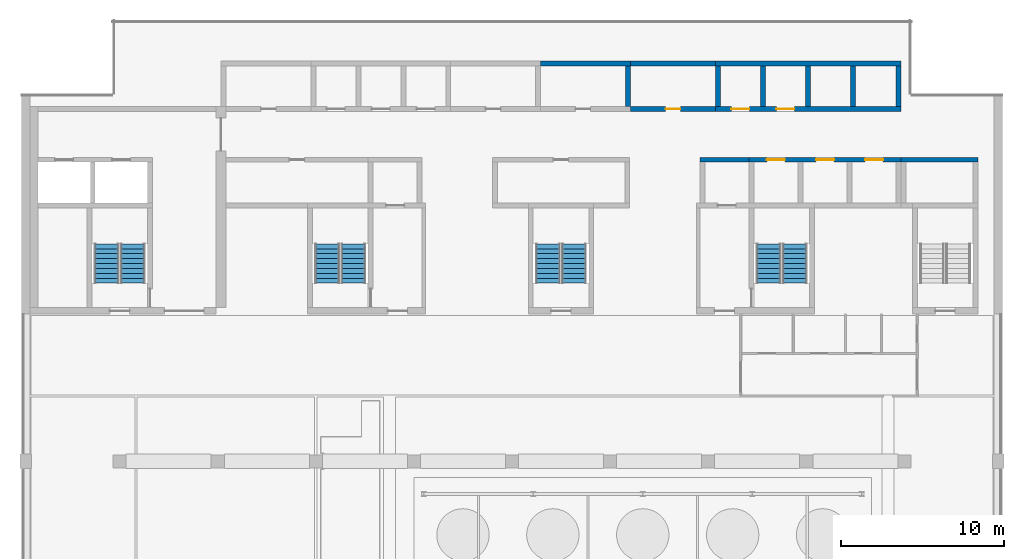
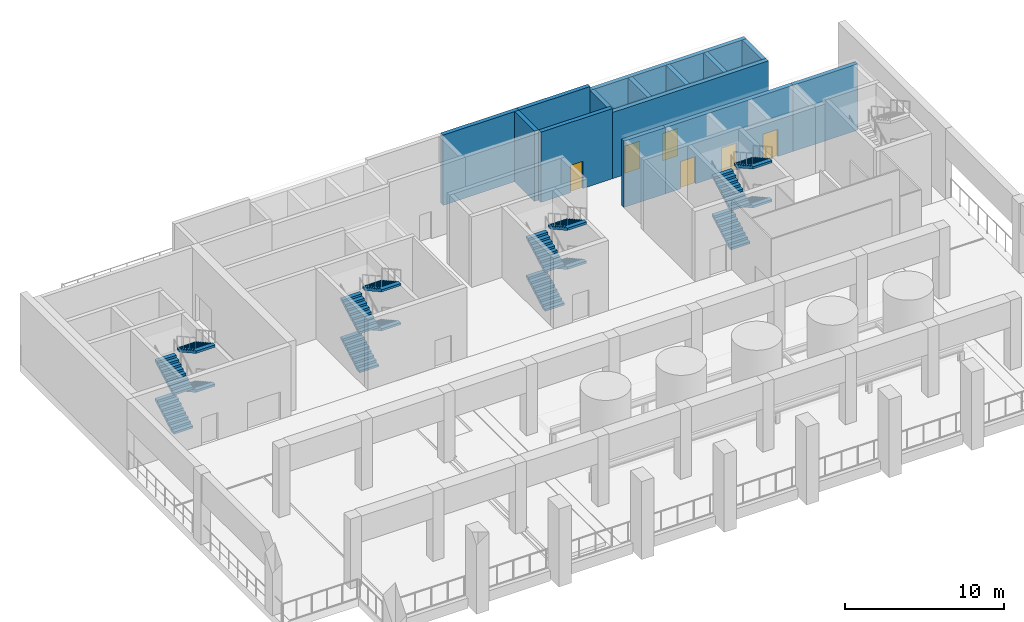
# One storey, part 6 of 11: 16 stair flights, 14 walls, 6 doors, 6 openings, 4 elements without a shape of their own.
"""IFC4 building model written with IfcOpenShell, lengths in metres."""

from ifc_helpers import new_model, si_unit, direction, frame, frame_2d, origin, place, context, subcontext, project, spatial, polyline, rectangle, outline, extrude, material, layer, layer_set, type_object, element, fill, aggregate, save


model = new_model("IFC4")

# Units and contexts
model_context = context("Model", 3, precision=1e-05, world=origin(), true_north=direction((0.0, 1.0)))
body_context = subcontext(model_context, "Body", "Model", "MODEL_VIEW")
ifc_project = project(units=[si_unit("LENGTHUNIT", "METRE"), si_unit("AREAUNIT", "SQUARE_METRE"), si_unit("VOLUMEUNIT", "CUBIC_METRE"), si_unit("PLANEANGLEUNIT", "RADIAN"), si_unit("MASSUNIT", "GRAM", prefix="KILO")], contexts=[model_context])

# Site, building, storey
site_placement = place(None, origin())
site = spatial("IfcSite", under=ifc_project, at=site_placement, CompositionType="ELEMENT")
building_placement = place(site_placement, origin())
building = spatial("IfcBuilding", under=site, at=building_placement, Name="Calvaro Tower", CompositionType="ELEMENT")
storey_placement = place(building_placement, frame((0.0, 0.0, 265.949951171875)))
storey = spatial("IfcBuildingStorey", under=building, at=storey_placement, Name="L67", CompositionType="ELEMENT", Elevation=265.949951171875)

# Wall, opening, door
ifc_material_1 = material(Name="Blockwork partition", Category="masonry")
ifc_layer_1 = layer(ifc_material_1, 0.300048828125)
ifc_layer_set_1 = layer_set([ifc_layer_1], Name="Blockwork partition")
wall_type_1 = type_object("IfcWallType", Name="Core partition 300 EI 60", PredefinedType="PARTITIONING", material=ifc_layer_set_1)
wall_1_placement = place(storey_placement, frame((43.25, 40.550048828125, 0.0), z_axis=(0.0, 0.0, 1.0), x_axis=(1.0, 0.0, 0.0)))
wall_1 = element("IfcWall", 1, at=wall_1_placement, inside=storey, type_object=wall_type_1, Name="Core partition", PredefinedType="PARTITIONING", context=body_context, shape_type="SweptSolid", body=[
    extrude(rectangle(XDim=5.199951171875, YDim=0.300048828125, at=frame_2d((2.60009765625, 0.0))), origin(), (0.0, 0.0, 1.0), 5.400146484375),
])
opening_1_placement = place(wall_1_placement, frame((2.14990234375, 0.0, 0.0)))
opening_1 = element("IfcOpeningElement", 2, at=opening_1_placement, cuts=wall_1, Name="Opening RD9C", PredefinedType="OPENING", context=body_context, shape_type="SweptSolid", body=[
    extrude(rectangle(XDim=0.89990234375, YDim=2.10009765625, at=frame_2d((0.449951171875, 1.050048828125))), frame((0.0, 0.159912109375, 0.0), z_axis=(0.0, -1.0, 0.0), x_axis=(1.0, 0.0, 0.0)), (0.0, 0.0, 1.0), 0.320068359375),
])
ifc_material_2 = material(Name="Steel door set", Category="steel")
door_type_1 = type_object("IfcDoorType", Name="Room door 900 FD30", OperationType="SINGLE_SWING_LEFT", PredefinedType="DOOR", material=ifc_material_2)
door_1_placement = place(opening_1_placement, origin())
door_1 = element("IfcDoor", 3, at=door_1_placement, inside=storey, type_object=door_type_1, Name="Room door", OperationType="SINGLE_SWING_LEFT", OverallHeight=2.10009765625, OverallWidth=0.89990234375, PredefinedType="DOOR", context=body_context, shape_type="SweptSolid", body=[
    extrude(rectangle(XDim=0.89990234375, YDim=2.10009765625, at=frame_2d((0.449951171875, 1.050048828125))), frame((0.0, 0.02490234375, 0.0), z_axis=(0.0, -1.0, 0.0), x_axis=(1.0, 0.0, 0.0)), (0.0, 0.0, 1.0), 0.050048828125),
])
fill(opening_1, door_1)

# Walls
wall_2_placement = place(storey_placement, frame((43.25, 43.35009765625, 0.0), z_axis=(0.0, 0.0, 1.0), x_axis=(1.0, 0.0, 0.0)))
element("IfcWall", 4, at=wall_2_placement, inside=storey, type_object=wall_type_1, Name="Core partition", PredefinedType="PARTITIONING", context=body_context, shape_type="SweptSolid", body=[
    extrude(rectangle(XDim=5.199951171875, YDim=0.300048828125, at=frame_2d((2.60009765625, 0.0))), origin(), (0.0, 0.0, 1.0), 5.400146484375),
])
ifc_material_3 = material(Name="Blockwork partition", Category="masonry")
ifc_layer_2 = layer(ifc_material_3, 0.300048828125)
ifc_layer_set_2 = layer_set([ifc_layer_2], Name="Blockwork partition")
wall_type_2 = type_object("IfcWallType", Name="Core partition 300 REI 120", PredefinedType="PARTITIONING", material=ifc_layer_set_2)
wall_3_placement = place(storey_placement, frame((37.75, 43.35009765625, 0.0), z_axis=(0.0, 0.0, 1.0), x_axis=(1.0, 0.0, 0.0)))
element("IfcWall", 5, at=wall_3_placement, inside=storey, type_object=wall_type_2, Name="Core partition", PredefinedType="PARTITIONING", context=body_context, shape_type="SweptSolid", body=[
    extrude(rectangle(XDim=5.5, YDim=0.300048828125, at=frame_2d((2.75, 0.0))), origin(), (0.0, 0.0, 1.0), 5.400146484375),
])
wall_4_placement = place(storey_placement, frame((43.10009765625, 40.699951171875, 0.0), z_axis=(0.0, 0.0, 1.0), x_axis=(0.0, 1.0, 0.0)))
element("IfcWall", 6, at=wall_4_placement, inside=storey, type_object=wall_type_2, Name="Core partition", PredefinedType="PARTITIONING", context=body_context, shape_type="SweptSolid", body=[
    extrude(rectangle(XDim=2.5, YDim=0.300048828125, at=frame_2d((1.25, 0.0))), origin(), (0.0, 0.0, 1.0), 5.400146484375),
])

# Wall, openings, doors
ifc_material_4 = material(Name="Concrete C40/50", Category="concrete")
ifc_layer_3 = layer(ifc_material_4, 0.300048828125)
ifc_layer_set_3 = layer_set([ifc_layer_3], Name="Concrete C40/50")
wall_type_3 = type_object("IfcWallType", Name="Core wall C40/50 300", PredefinedType="SHEAR", material=ifc_layer_set_3)
wall_5_placement = place(storey_placement, frame((50.5, 37.449951171875, 0.0), z_axis=(0.0, 0.0, 1.0), x_axis=(1.0, 0.0, 0.0)))
wall_5 = element("IfcWall", 7, at=wall_5_placement, inside=storey, type_object=wall_type_3, Name="Core wall, lift shaft", PredefinedType="SHEAR", context=body_context, shape_type="SweptSolid", body=[
    extrude(rectangle(XDim=9.300048828125, YDim=0.300048828125, at=frame_2d((4.64990234375, 0.0))), origin(), (0.0, 0.0, 1.0), 5.10009765625),
])
opening_2_placement = place(wall_5_placement, frame((1.10009765625, 0.0, 0.0)))
opening_2 = element("IfcOpeningElement", 8, at=opening_2_placement, cuts=wall_5, Name="Opening HR1", PredefinedType="OPENING", context=body_context, shape_type="SweptSolid", body=[
    extrude(rectangle(XDim=1.10009765625, YDim=2.10009765625, at=frame_2d((0.550048828125, 1.050048828125))), frame((0.0, 0.159912109375, 0.0), z_axis=(0.0, -1.0, 0.0), x_axis=(1.0, 0.0, 0.0)), (0.0, 0.0, 1.0), 0.320068359375),
])
opening_3_placement = place(wall_5_placement, frame((4.10009765625, 0.0, 0.0)))
opening_3 = element("IfcOpeningElement", 9, at=opening_3_placement, cuts=wall_5, Name="Opening HR2", PredefinedType="OPENING", context=body_context, shape_type="SweptSolid", body=[
    extrude(rectangle(XDim=1.10009765625, YDim=2.10009765625, at=frame_2d((0.550048828125, 1.050048828125))), frame((0.0, 0.159912109375, 0.0), z_axis=(0.0, -1.0, 0.0), x_axis=(1.0, 0.0, 0.0)), (0.0, 0.0, 1.0), 0.320068359375),
])
opening_4_placement = place(wall_5_placement, frame((7.10009765625, 0.0, 0.0)))
opening_4 = element("IfcOpeningElement", 10, at=opening_4_placement, cuts=wall_5, Name="Opening HR3", PredefinedType="OPENING", context=body_context, shape_type="SweptSolid", body=[
    extrude(rectangle(XDim=1.10009765625, YDim=2.10009765625, at=frame_2d((0.550048828125, 1.050048828125))), frame((0.0, 0.159912109375, 0.0), z_axis=(0.0, -1.0, 0.0), x_axis=(1.0, 0.0, 0.0)), (0.0, 0.0, 1.0), 0.320068359375),
])
ifc_material_5 = material(Name="Stainless steel", Category="steel")
door_type_2 = type_object("IfcDoorType", Name="Landing door 1100 E 60", OperationType="SLIDING_TO_LEFT", PredefinedType="DOOR", material=ifc_material_5)
door_2_placement = place(opening_2_placement, origin())
door_2 = element("IfcDoor", 11, at=door_2_placement, inside=storey, type_object=door_type_2, Name="Landing door HR1", OperationType="SLIDING_TO_LEFT", OverallHeight=2.10009765625, OverallWidth=1.10009765625, PredefinedType="DOOR", context=body_context, shape_type="SweptSolid", body=[
    extrude(rectangle(XDim=1.10009765625, YDim=2.10009765625, at=frame_2d((0.550048828125, 1.050048828125))), frame((0.0, 0.02490234375, 0.0), z_axis=(0.0, -1.0, 0.0), x_axis=(1.0, 0.0, 0.0)), (0.0, 0.0, 1.0), 0.050048828125),
])
fill(opening_2, door_2)
door_3_placement = place(opening_3_placement, origin())
door_3 = element("IfcDoor", 12, at=door_3_placement, inside=storey, type_object=door_type_2, Name="Landing door HR2", OperationType="SLIDING_TO_LEFT", OverallHeight=2.10009765625, OverallWidth=1.10009765625, PredefinedType="DOOR", context=body_context, shape_type="SweptSolid", body=[
    extrude(rectangle(XDim=1.10009765625, YDim=2.10009765625, at=frame_2d((0.550048828125, 1.050048828125))), frame((0.0, 0.02490234375, 0.0), z_axis=(0.0, -1.0, 0.0), x_axis=(1.0, 0.0, 0.0)), (0.0, 0.0, 1.0), 0.050048828125),
])
fill(opening_3, door_3)
door_4_placement = place(opening_4_placement, origin())
door_4 = element("IfcDoor", 13, at=door_4_placement, inside=storey, type_object=door_type_2, Name="Landing door HR3", OperationType="SLIDING_TO_LEFT", OverallHeight=2.10009765625, OverallWidth=1.10009765625, PredefinedType="DOOR", context=body_context, shape_type="SweptSolid", body=[
    extrude(rectangle(XDim=1.10009765625, YDim=2.10009765625, at=frame_2d((0.550048828125, 1.050048828125))), frame((0.0, 0.02490234375, 0.0), z_axis=(0.0, -1.0, 0.0), x_axis=(1.0, 0.0, 0.0)), (0.0, 0.0, 1.0), 0.050048828125),
])
fill(opening_4, door_4)

wall_6_placement = place(storey_placement, frame((48.449951171875, 40.550048828125, 0.0), z_axis=(0.0, 0.0, 1.0), x_axis=(1.0, 0.0, 0.0)))
wall_6 = element("IfcWall", 14, at=wall_6_placement, inside=storey, type_object=wall_type_3, Name="Core wall, lift shaft", PredefinedType="SHEAR", context=body_context, shape_type="SweptSolid", body=[
    extrude(rectangle(XDim=11.35009765625, YDim=0.300048828125, at=frame_2d((5.675048828125, 0.0))), origin(), (0.0, 0.0, 1.0), 5.10009765625),
])
opening_5_placement = place(wall_6_placement, frame((0.97509765625, 0.0, 0.0)))
opening_5 = element("IfcOpeningElement", 15, at=opening_5_placement, cuts=wall_6, Name="Opening HR7", PredefinedType="OPENING", context=body_context, shape_type="SweptSolid", body=[
    extrude(rectangle(XDim=1.10009765625, YDim=2.10009765625, at=frame_2d((0.550048828125, 1.050048828125))), frame((0.0, 0.159912109375, 0.0), z_axis=(0.0, -1.0, 0.0), x_axis=(1.0, 0.0, 0.0)), (0.0, 0.0, 1.0), 0.320068359375),
])
opening_6_placement = place(wall_6_placement, frame((3.72509765625, 0.0, 0.0)))
opening_6 = element("IfcOpeningElement", 16, at=opening_6_placement, cuts=wall_6, Name="Opening HR8", PredefinedType="OPENING", context=body_context, shape_type="SweptSolid", body=[
    extrude(rectangle(XDim=1.10009765625, YDim=2.10009765625, at=frame_2d((0.550048828125, 1.050048828125))), frame((0.0, 0.159912109375, 0.0), z_axis=(0.0, -1.0, 0.0), x_axis=(1.0, 0.0, 0.0)), (0.0, 0.0, 1.0), 0.320068359375),
])
door_5_placement = place(opening_5_placement, origin())
door_5 = element("IfcDoor", 17, at=door_5_placement, inside=storey, type_object=door_type_2, Name="Landing door HR7", OperationType="SLIDING_TO_LEFT", OverallHeight=2.10009765625, OverallWidth=1.10009765625, PredefinedType="DOOR", context=body_context, shape_type="SweptSolid", body=[
    extrude(rectangle(XDim=1.10009765625, YDim=2.10009765625, at=frame_2d((0.550048828125, 1.050048828125))), frame((0.0, 0.02490234375, 0.0), z_axis=(0.0, -1.0, 0.0), x_axis=(1.0, 0.0, 0.0)), (0.0, 0.0, 1.0), 0.050048828125),
])
fill(opening_5, door_5)
door_6_placement = place(opening_6_placement, origin())
door_6 = element("IfcDoor", 18, at=door_6_placement, inside=storey, type_object=door_type_2, Name="Landing door HR8", OperationType="SLIDING_TO_LEFT", OverallHeight=2.10009765625, OverallWidth=1.10009765625, PredefinedType="DOOR", context=body_context, shape_type="SweptSolid", body=[
    extrude(rectangle(XDim=1.10009765625, YDim=2.10009765625, at=frame_2d((0.550048828125, 1.050048828125))), frame((0.0, 0.02490234375, 0.0), z_axis=(0.0, -1.0, 0.0), x_axis=(1.0, 0.0, 0.0)), (0.0, 0.0, 1.0), 0.050048828125),
])
fill(opening_6, door_6)

# Walls
wall_7_placement = place(storey_placement, frame((48.449951171875, 43.35009765625, 0.0), z_axis=(0.0, 0.0, 1.0), x_axis=(1.0, 0.0, 0.0)))
element("IfcWall", 19, at=wall_7_placement, inside=storey, type_object=wall_type_3, Name="Core wall, lift shaft", PredefinedType="SHEAR", context=body_context, shape_type="SweptSolid", body=[
    extrude(rectangle(XDim=11.35009765625, YDim=0.300048828125, at=frame_2d((5.675048828125, 0.0))), origin(), (0.0, 0.0, 1.0), 5.10009765625),
])
for number, where, z_axis, x_axis, name in (
    (20, (48.60009765625, 40.699951171875, 0.0), (0.0, 0.0, 1.0), (0.0, 1.0, 0.0), "Core wall, lift shaft"),
    (21, (59.64990234375, 40.699951171875, 0.0), (0.0, 0.0, 1.0), (0.0, 1.0, 0.0), "Core wall, lift shaft"),
    (22, (51.35009765625, 40.699951171875, 0.0), (0.0, 0.0, 1.0), (0.0, 1.0, 0.0), "Core wall, lift shaft"),
    (23, (54.10009765625, 40.699951171875, 0.0), (0.0, 0.0, 1.0), (0.0, 1.0, 0.0), "Core wall, lift shaft"),
    (24, (56.85009765625, 40.699951171875, 0.0), (0.0, 0.0, 1.0), (0.0, 1.0, 0.0), "Core wall, lift shaft"),
):
    element("IfcWall", number, at=place(storey_placement, frame(where, z_axis=z_axis, x_axis=x_axis)), inside=storey, type_object=wall_type_3, Name=name, PredefinedType="SHEAR", context=body_context, shape_type="SweptSolid", body=[
        extrude(rectangle(XDim=2.5, YDim=0.300048828125, at=frame_2d((1.25, 0.0))), origin(), (0.0, 0.0, 1.0), 5.10009765625),
    ])
wall_8_placement = place(storey_placement, frame((47.5, 37.449951171875, 0.0), z_axis=(0.0, 0.0, 1.0), x_axis=(1.0, 0.0, 0.0)))
element("IfcWall", 25, at=wall_8_placement, inside=storey, type_object=wall_type_3, Name="Core wall, lift shaft", PredefinedType="SHEAR", context=body_context, shape_type="SweptSolid", body=[
    extrude(rectangle(XDim=3.0, YDim=0.300048828125, at=frame_2d((1.5, 0.0))), origin(), (0.0, 0.0, 1.0), 5.10009765625),
])
wall_9_placement = place(storey_placement, frame((59.800048828125, 37.449951171875, 0.0), z_axis=(0.0, 0.0, 1.0), x_axis=(1.0, 0.0, 0.0)))
element("IfcWall", 26, at=wall_9_placement, inside=storey, type_object=wall_type_3, Name="Core wall, lift shaft", PredefinedType="SHEAR", context=body_context, shape_type="SweptSolid", body=[
    extrude(rectangle(XDim=4.699951171875, YDim=0.300048828125, at=frame_2d((2.35009765625, 0.0))), origin(), (0.0, 0.0, 1.0), 5.10009765625),
])

# Stair, stair flights
ifc_material_6 = material(Name="Concrete C40/50", Category="concrete")
stair_type = type_object("IfcStairType", Name="Exit stair 1400 4 flights", PredefinedType="DOUBLE_RETURN_STAIR", material=ifc_material_6)
stair_1_placement = place(storey_placement, origin())
stair_1 = element("IfcStair", 27, at=stair_1_placement, inside=storey, type_object=stair_type, Name="Exit stair S1", PredefinedType="DOUBLE_RETURN_STAIR")
ifc_material_7 = material(Name="Concrete C40/50", Category="concrete")
stair_flight_type = type_object("IfcStairFlightType", Name="Stair flight", PredefinedType="STRAIGHT", material=ifc_material_7)
stair_flight_1_placement = place(storey_placement, frame((11.199951171875, 29.89990234375, 0.0), z_axis=(0.0, 0.0, 1.0), x_axis=(0.0, 1.0, 0.0)))
stair_flight_1 = element("IfcStairFlight", 28, at=stair_flight_1_placement, type_object=stair_flight_type, Name="Exit stair 1, flight 1", NumberOfRisers=9, NumberOfTreads=8, PredefinedType="STRAIGHT", RiserHeight=0.166666667, TreadLength=0.3, context=body_context, shape_type="SweptSolid", body=[
    extrude(outline(polyline([(0.0, 0.0), (0.0, 0.166748046875), (0.300048828125, 0.166748046875), (0.300048828125, 0.333251953125), (0.60009765625, 0.333251953125), (0.60009765625, 0.5), (0.89990234375, 0.5), (0.89990234375, 0.666748046875), (1.199951171875, 0.666748046875), (1.199951171875, 0.833251953125), (1.5, 0.833251953125), (1.5, 1.0), (1.800048828125, 1.0), (1.800048828125, 1.166748046875), (2.10009765625, 1.166748046875), (2.10009765625, 1.333251953125), (2.39990234375, 1.333251953125), (2.39990234375, 1.5), (2.39990234375, 1.161865234375), (0.30859375, 0.0), (0.0, 0.0)])), frame((0.0, 0.699951171875, 0.0), z_axis=(0.0, -1.0, 0.0), x_axis=(1.0, 0.0, 0.0)), (0.0, 0.0, 1.0), 1.39990234375),
])
stair_flight_2_placement = place(storey_placement, frame((12.800048828125, 32.300048828125, 1.5), z_axis=(0.0, 0.0, 1.0), x_axis=(0.0, -1.0, 0.0)))
stair_flight_2 = element("IfcStairFlight", 29, at=stair_flight_2_placement, type_object=stair_flight_type, Name="Exit stair 1, flight 2", NumberOfRisers=9, NumberOfTreads=8, PredefinedType="STRAIGHT", RiserHeight=0.166666667, TreadLength=0.3, context=body_context, shape_type="SweptSolid", body=[
    extrude(outline(polyline([(0.0, 0.0), (0.0, 0.166748046875), (0.300048828125, 0.166748046875), (0.300048828125, 0.333251953125), (0.60009765625, 0.333251953125), (0.60009765625, 0.5), (0.89990234375, 0.5), (0.89990234375, 0.666748046875), (1.199951171875, 0.666748046875), (1.199951171875, 0.833251953125), (1.5, 0.833251953125), (1.5, 1.0), (1.800048828125, 1.0), (1.800048828125, 1.166748046875), (2.10009765625, 1.166748046875), (2.10009765625, 1.333251953125), (2.39990234375, 1.333251953125), (2.39990234375, 1.5), (2.39990234375, 1.161865234375), (0.30859375, 0.0), (0.0, 0.0)])), frame((0.0, 0.699951171875, 0.0), z_axis=(0.0, -1.0, 0.0), x_axis=(1.0, 0.0, 0.0)), (0.0, 0.0, 1.0), 1.39990234375),
])
stair_flight_3_placement = place(storey_placement, frame((11.199951171875, 29.89990234375, 3.0), z_axis=(0.0, 0.0, 1.0), x_axis=(0.0, 1.0, 0.0)))
stair_flight_3 = element("IfcStairFlight", 30, at=stair_flight_3_placement, type_object=stair_flight_type, Name="Exit stair 1, flight 3", NumberOfRisers=9, NumberOfTreads=8, PredefinedType="STRAIGHT", RiserHeight=0.166666667, TreadLength=0.3, context=body_context, shape_type="SweptSolid", body=[
    extrude(outline(polyline([(0.0, 0.0), (0.0, 0.166748046875), (0.300048828125, 0.166748046875), (0.300048828125, 0.333251953125), (0.60009765625, 0.333251953125), (0.60009765625, 0.5), (0.89990234375, 0.5), (0.89990234375, 0.666748046875), (1.199951171875, 0.666748046875), (1.199951171875, 0.833251953125), (1.5, 0.833251953125), (1.5, 1.0), (1.800048828125, 1.0), (1.800048828125, 1.166748046875), (2.10009765625, 1.166748046875), (2.10009765625, 1.333251953125), (2.39990234375, 1.333251953125), (2.39990234375, 1.5), (2.39990234375, 1.161865234375), (0.30859375, 0.0), (0.0, 0.0)])), frame((0.0, 0.699951171875, 0.0), z_axis=(0.0, -1.0, 0.0), x_axis=(1.0, 0.0, 0.0)), (0.0, 0.0, 1.0), 1.39990234375),
])
stair_flight_4_placement = place(storey_placement, frame((12.800048828125, 32.300048828125, 4.5), z_axis=(0.0, 0.0, 1.0), x_axis=(0.0, -1.0, 0.0)))
stair_flight_4 = element("IfcStairFlight", 31, at=stair_flight_4_placement, type_object=stair_flight_type, Name="Exit stair 1, flight 4", NumberOfRisers=9, NumberOfTreads=8, PredefinedType="STRAIGHT", RiserHeight=0.166666667, TreadLength=0.3, context=body_context, shape_type="SweptSolid", body=[
    extrude(outline(polyline([(0.0, 0.0), (0.0, 0.166748046875), (0.300048828125, 0.166748046875), (0.300048828125, 0.333251953125), (0.60009765625, 0.333251953125), (0.60009765625, 0.5), (0.89990234375, 0.5), (0.89990234375, 0.666748046875), (1.199951171875, 0.666748046875), (1.199951171875, 0.833251953125), (1.5, 0.833251953125), (1.5, 1.0), (1.800048828125, 1.0), (1.800048828125, 1.166748046875), (2.10009765625, 1.166748046875), (2.10009765625, 1.333251953125), (2.39990234375, 1.333251953125), (2.39990234375, 1.5), (2.39990234375, 1.161865234375), (0.30859375, 0.0), (0.0, 0.0)])), frame((0.0, 0.699951171875, 0.0), z_axis=(0.0, -1.0, 0.0), x_axis=(1.0, 0.0, 0.0)), (0.0, 0.0, 1.0), 1.39990234375),
])
aggregate(stair_1, [stair_flight_1, stair_flight_2, stair_flight_3, stair_flight_4])

stair_2_placement = place(storey_placement, origin())
stair_2 = element("IfcStair", 32, at=stair_2_placement, inside=storey, type_object=stair_type, Name="Exit stair S2", PredefinedType="DOUBLE_RETURN_STAIR")
stair_flight_5_placement = place(storey_placement, frame((24.699951171875, 29.89990234375, 0.0), z_axis=(0.0, 0.0, 1.0), x_axis=(0.0, 1.0, 0.0)))
stair_flight_5 = element("IfcStairFlight", 33, at=stair_flight_5_placement, type_object=stair_flight_type, Name="Exit stair 2, flight 1", NumberOfRisers=9, NumberOfTreads=8, PredefinedType="STRAIGHT", RiserHeight=0.166666667, TreadLength=0.3, context=body_context, shape_type="SweptSolid", body=[
    extrude(outline(polyline([(0.0, 0.0), (0.0, 0.166748046875), (0.300048828125, 0.166748046875), (0.300048828125, 0.333251953125), (0.60009765625, 0.333251953125), (0.60009765625, 0.5), (0.89990234375, 0.5), (0.89990234375, 0.666748046875), (1.199951171875, 0.666748046875), (1.199951171875, 0.833251953125), (1.5, 0.833251953125), (1.5, 1.0), (1.800048828125, 1.0), (1.800048828125, 1.166748046875), (2.10009765625, 1.166748046875), (2.10009765625, 1.333251953125), (2.39990234375, 1.333251953125), (2.39990234375, 1.5), (2.39990234375, 1.161865234375), (0.30859375, 0.0), (0.0, 0.0)])), frame((0.0, 0.699951171875, 0.0), z_axis=(0.0, -1.0, 0.0), x_axis=(1.0, 0.0, 0.0)), (0.0, 0.0, 1.0), 1.39990234375),
])
stair_flight_6_placement = place(storey_placement, frame((26.300048828125, 32.300048828125, 1.5), z_axis=(0.0, 0.0, 1.0), x_axis=(0.0, -1.0, 0.0)))
stair_flight_6 = element("IfcStairFlight", 34, at=stair_flight_6_placement, type_object=stair_flight_type, Name="Exit stair 2, flight 2", NumberOfRisers=9, NumberOfTreads=8, PredefinedType="STRAIGHT", RiserHeight=0.166666667, TreadLength=0.3, context=body_context, shape_type="SweptSolid", body=[
    extrude(outline(polyline([(0.0, 0.0), (0.0, 0.166748046875), (0.300048828125, 0.166748046875), (0.300048828125, 0.333251953125), (0.60009765625, 0.333251953125), (0.60009765625, 0.5), (0.89990234375, 0.5), (0.89990234375, 0.666748046875), (1.199951171875, 0.666748046875), (1.199951171875, 0.833251953125), (1.5, 0.833251953125), (1.5, 1.0), (1.800048828125, 1.0), (1.800048828125, 1.166748046875), (2.10009765625, 1.166748046875), (2.10009765625, 1.333251953125), (2.39990234375, 1.333251953125), (2.39990234375, 1.5), (2.39990234375, 1.161865234375), (0.30859375, 0.0), (0.0, 0.0)])), frame((0.0, 0.699951171875, 0.0), z_axis=(0.0, -1.0, 0.0), x_axis=(1.0, 0.0, 0.0)), (0.0, 0.0, 1.0), 1.39990234375),
])
stair_flight_7_placement = place(storey_placement, frame((24.699951171875, 29.89990234375, 3.0), z_axis=(0.0, 0.0, 1.0), x_axis=(0.0, 1.0, 0.0)))
stair_flight_7 = element("IfcStairFlight", 35, at=stair_flight_7_placement, type_object=stair_flight_type, Name="Exit stair 2, flight 3", NumberOfRisers=9, NumberOfTreads=8, PredefinedType="STRAIGHT", RiserHeight=0.166666667, TreadLength=0.3, context=body_context, shape_type="SweptSolid", body=[
    extrude(outline(polyline([(0.0, 0.0), (0.0, 0.166748046875), (0.300048828125, 0.166748046875), (0.300048828125, 0.333251953125), (0.60009765625, 0.333251953125), (0.60009765625, 0.5), (0.89990234375, 0.5), (0.89990234375, 0.666748046875), (1.199951171875, 0.666748046875), (1.199951171875, 0.833251953125), (1.5, 0.833251953125), (1.5, 1.0), (1.800048828125, 1.0), (1.800048828125, 1.166748046875), (2.10009765625, 1.166748046875), (2.10009765625, 1.333251953125), (2.39990234375, 1.333251953125), (2.39990234375, 1.5), (2.39990234375, 1.161865234375), (0.30859375, 0.0), (0.0, 0.0)])), frame((0.0, 0.699951171875, 0.0), z_axis=(0.0, -1.0, 0.0), x_axis=(1.0, 0.0, 0.0)), (0.0, 0.0, 1.0), 1.39990234375),
])
stair_flight_8_placement = place(storey_placement, frame((26.300048828125, 32.300048828125, 4.5), z_axis=(0.0, 0.0, 1.0), x_axis=(0.0, -1.0, 0.0)))
stair_flight_8 = element("IfcStairFlight", 36, at=stair_flight_8_placement, type_object=stair_flight_type, Name="Exit stair 2, flight 4", NumberOfRisers=9, NumberOfTreads=8, PredefinedType="STRAIGHT", RiserHeight=0.166666667, TreadLength=0.3, context=body_context, shape_type="SweptSolid", body=[
    extrude(outline(polyline([(0.0, 0.0), (0.0, 0.166748046875), (0.300048828125, 0.166748046875), (0.300048828125, 0.333251953125), (0.60009765625, 0.333251953125), (0.60009765625, 0.5), (0.89990234375, 0.5), (0.89990234375, 0.666748046875), (1.199951171875, 0.666748046875), (1.199951171875, 0.833251953125), (1.5, 0.833251953125), (1.5, 1.0), (1.800048828125, 1.0), (1.800048828125, 1.166748046875), (2.10009765625, 1.166748046875), (2.10009765625, 1.333251953125), (2.39990234375, 1.333251953125), (2.39990234375, 1.5), (2.39990234375, 1.161865234375), (0.30859375, 0.0), (0.0, 0.0)])), frame((0.0, 0.699951171875, 0.0), z_axis=(0.0, -1.0, 0.0), x_axis=(1.0, 0.0, 0.0)), (0.0, 0.0, 1.0), 1.39990234375),
])
aggregate(stair_2, [stair_flight_5, stair_flight_6, stair_flight_7, stair_flight_8])

stair_3_placement = place(storey_placement, origin())
stair_3 = element("IfcStair", 37, at=stair_3_placement, inside=storey, type_object=stair_type, Name="Exit stair S3", PredefinedType="DOUBLE_RETURN_STAIR")
stair_flight_9_placement = place(storey_placement, frame((38.199951171875, 29.89990234375, 0.0), z_axis=(0.0, 0.0, 1.0), x_axis=(0.0, 1.0, 0.0)))
stair_flight_9 = element("IfcStairFlight", 38, at=stair_flight_9_placement, type_object=stair_flight_type, Name="Exit stair 3, flight 1", NumberOfRisers=9, NumberOfTreads=8, PredefinedType="STRAIGHT", RiserHeight=0.166666667, TreadLength=0.3, context=body_context, shape_type="SweptSolid", body=[
    extrude(outline(polyline([(0.0, 0.0), (0.0, 0.166748046875), (0.300048828125, 0.166748046875), (0.300048828125, 0.333251953125), (0.60009765625, 0.333251953125), (0.60009765625, 0.5), (0.89990234375, 0.5), (0.89990234375, 0.666748046875), (1.199951171875, 0.666748046875), (1.199951171875, 0.833251953125), (1.5, 0.833251953125), (1.5, 1.0), (1.800048828125, 1.0), (1.800048828125, 1.166748046875), (2.10009765625, 1.166748046875), (2.10009765625, 1.333251953125), (2.39990234375, 1.333251953125), (2.39990234375, 1.5), (2.39990234375, 1.161865234375), (0.30859375, 0.0), (0.0, 0.0)])), frame((0.0, 0.699951171875, 0.0), z_axis=(0.0, -1.0, 0.0), x_axis=(1.0, 0.0, 0.0)), (0.0, 0.0, 1.0), 1.39990234375),
])
stair_flight_10_placement = place(storey_placement, frame((39.800048828125, 32.300048828125, 1.5), z_axis=(0.0, 0.0, 1.0), x_axis=(0.0, -1.0, 0.0)))
stair_flight_10 = element("IfcStairFlight", 39, at=stair_flight_10_placement, type_object=stair_flight_type, Name="Exit stair 3, flight 2", NumberOfRisers=9, NumberOfTreads=8, PredefinedType="STRAIGHT", RiserHeight=0.166666667, TreadLength=0.3, context=body_context, shape_type="SweptSolid", body=[
    extrude(outline(polyline([(0.0, 0.0), (0.0, 0.166748046875), (0.300048828125, 0.166748046875), (0.300048828125, 0.333251953125), (0.60009765625, 0.333251953125), (0.60009765625, 0.5), (0.89990234375, 0.5), (0.89990234375, 0.666748046875), (1.199951171875, 0.666748046875), (1.199951171875, 0.833251953125), (1.5, 0.833251953125), (1.5, 1.0), (1.800048828125, 1.0), (1.800048828125, 1.166748046875), (2.10009765625, 1.166748046875), (2.10009765625, 1.333251953125), (2.39990234375, 1.333251953125), (2.39990234375, 1.5), (2.39990234375, 1.161865234375), (0.30859375, 0.0), (0.0, 0.0)])), frame((0.0, 0.699951171875, 0.0), z_axis=(0.0, -1.0, 0.0), x_axis=(1.0, 0.0, 0.0)), (0.0, 0.0, 1.0), 1.39990234375),
])
stair_flight_11_placement = place(storey_placement, frame((38.199951171875, 29.89990234375, 3.0), z_axis=(0.0, 0.0, 1.0), x_axis=(0.0, 1.0, 0.0)))
stair_flight_11 = element("IfcStairFlight", 40, at=stair_flight_11_placement, type_object=stair_flight_type, Name="Exit stair 3, flight 3", NumberOfRisers=9, NumberOfTreads=8, PredefinedType="STRAIGHT", RiserHeight=0.166666667, TreadLength=0.3, context=body_context, shape_type="SweptSolid", body=[
    extrude(outline(polyline([(0.0, 0.0), (0.0, 0.166748046875), (0.300048828125, 0.166748046875), (0.300048828125, 0.333251953125), (0.60009765625, 0.333251953125), (0.60009765625, 0.5), (0.89990234375, 0.5), (0.89990234375, 0.666748046875), (1.199951171875, 0.666748046875), (1.199951171875, 0.833251953125), (1.5, 0.833251953125), (1.5, 1.0), (1.800048828125, 1.0), (1.800048828125, 1.166748046875), (2.10009765625, 1.166748046875), (2.10009765625, 1.333251953125), (2.39990234375, 1.333251953125), (2.39990234375, 1.5), (2.39990234375, 1.161865234375), (0.30859375, 0.0), (0.0, 0.0)])), frame((0.0, 0.699951171875, 0.0), z_axis=(0.0, -1.0, 0.0), x_axis=(1.0, 0.0, 0.0)), (0.0, 0.0, 1.0), 1.39990234375),
])
stair_flight_12_placement = place(storey_placement, frame((39.800048828125, 32.300048828125, 4.5), z_axis=(0.0, 0.0, 1.0), x_axis=(0.0, -1.0, 0.0)))
stair_flight_12 = element("IfcStairFlight", 41, at=stair_flight_12_placement, type_object=stair_flight_type, Name="Exit stair 3, flight 4", NumberOfRisers=9, NumberOfTreads=8, PredefinedType="STRAIGHT", RiserHeight=0.166666667, TreadLength=0.3, context=body_context, shape_type="SweptSolid", body=[
    extrude(outline(polyline([(0.0, 0.0), (0.0, 0.166748046875), (0.300048828125, 0.166748046875), (0.300048828125, 0.333251953125), (0.60009765625, 0.333251953125), (0.60009765625, 0.5), (0.89990234375, 0.5), (0.89990234375, 0.666748046875), (1.199951171875, 0.666748046875), (1.199951171875, 0.833251953125), (1.5, 0.833251953125), (1.5, 1.0), (1.800048828125, 1.0), (1.800048828125, 1.166748046875), (2.10009765625, 1.166748046875), (2.10009765625, 1.333251953125), (2.39990234375, 1.333251953125), (2.39990234375, 1.5), (2.39990234375, 1.161865234375), (0.30859375, 0.0), (0.0, 0.0)])), frame((0.0, 0.699951171875, 0.0), z_axis=(0.0, -1.0, 0.0), x_axis=(1.0, 0.0, 0.0)), (0.0, 0.0, 1.0), 1.39990234375),
])
aggregate(stair_3, [stair_flight_9, stair_flight_10, stair_flight_11, stair_flight_12])

stair_4_placement = place(storey_placement, origin())
stair_4 = element("IfcStair", 42, at=stair_4_placement, inside=storey, type_object=stair_type, Name="Exit stair S4", PredefinedType="DOUBLE_RETURN_STAIR")
stair_flight_13_placement = place(storey_placement, frame((51.699951171875, 29.89990234375, 0.0), z_axis=(0.0, 0.0, 1.0), x_axis=(0.0, 1.0, 0.0)))
stair_flight_13 = element("IfcStairFlight", 43, at=stair_flight_13_placement, type_object=stair_flight_type, Name="Exit stair 4, flight 1", NumberOfRisers=9, NumberOfTreads=8, PredefinedType="STRAIGHT", RiserHeight=0.166666667, TreadLength=0.3, context=body_context, shape_type="SweptSolid", body=[
    extrude(outline(polyline([(0.0, 0.0), (0.0, 0.166748046875), (0.300048828125, 0.166748046875), (0.300048828125, 0.333251953125), (0.60009765625, 0.333251953125), (0.60009765625, 0.5), (0.89990234375, 0.5), (0.89990234375, 0.666748046875), (1.199951171875, 0.666748046875), (1.199951171875, 0.833251953125), (1.5, 0.833251953125), (1.5, 1.0), (1.800048828125, 1.0), (1.800048828125, 1.166748046875), (2.10009765625, 1.166748046875), (2.10009765625, 1.333251953125), (2.39990234375, 1.333251953125), (2.39990234375, 1.5), (2.39990234375, 1.161865234375), (0.30859375, 0.0), (0.0, 0.0)])), frame((0.0, 0.699951171875, 0.0), z_axis=(0.0, -1.0, 0.0), x_axis=(1.0, 0.0, 0.0)), (0.0, 0.0, 1.0), 1.39990234375),
])
stair_flight_14_placement = place(storey_placement, frame((53.300048828125, 32.300048828125, 1.5), z_axis=(0.0, 0.0, 1.0), x_axis=(0.0, -1.0, 0.0)))
stair_flight_14 = element("IfcStairFlight", 44, at=stair_flight_14_placement, type_object=stair_flight_type, Name="Exit stair 4, flight 2", NumberOfRisers=9, NumberOfTreads=8, PredefinedType="STRAIGHT", RiserHeight=0.166666667, TreadLength=0.3, context=body_context, shape_type="SweptSolid", body=[
    extrude(outline(polyline([(0.0, 0.0), (0.0, 0.166748046875), (0.300048828125, 0.166748046875), (0.300048828125, 0.333251953125), (0.60009765625, 0.333251953125), (0.60009765625, 0.5), (0.89990234375, 0.5), (0.89990234375, 0.666748046875), (1.199951171875, 0.666748046875), (1.199951171875, 0.833251953125), (1.5, 0.833251953125), (1.5, 1.0), (1.800048828125, 1.0), (1.800048828125, 1.166748046875), (2.10009765625, 1.166748046875), (2.10009765625, 1.333251953125), (2.39990234375, 1.333251953125), (2.39990234375, 1.5), (2.39990234375, 1.161865234375), (0.30859375, 0.0), (0.0, 0.0)])), frame((0.0, 0.699951171875, 0.0), z_axis=(0.0, -1.0, 0.0), x_axis=(1.0, 0.0, 0.0)), (0.0, 0.0, 1.0), 1.39990234375),
])
stair_flight_15_placement = place(storey_placement, frame((51.699951171875, 29.89990234375, 3.0), z_axis=(0.0, 0.0, 1.0), x_axis=(0.0, 1.0, 0.0)))
stair_flight_15 = element("IfcStairFlight", 45, at=stair_flight_15_placement, type_object=stair_flight_type, Name="Exit stair 4, flight 3", NumberOfRisers=9, NumberOfTreads=8, PredefinedType="STRAIGHT", RiserHeight=0.166666667, TreadLength=0.3, context=body_context, shape_type="SweptSolid", body=[
    extrude(outline(polyline([(0.0, 0.0), (0.0, 0.166748046875), (0.300048828125, 0.166748046875), (0.300048828125, 0.333251953125), (0.60009765625, 0.333251953125), (0.60009765625, 0.5), (0.89990234375, 0.5), (0.89990234375, 0.666748046875), (1.199951171875, 0.666748046875), (1.199951171875, 0.833251953125), (1.5, 0.833251953125), (1.5, 1.0), (1.800048828125, 1.0), (1.800048828125, 1.166748046875), (2.10009765625, 1.166748046875), (2.10009765625, 1.333251953125), (2.39990234375, 1.333251953125), (2.39990234375, 1.5), (2.39990234375, 1.161865234375), (0.30859375, 0.0), (0.0, 0.0)])), frame((0.0, 0.699951171875, 0.0), z_axis=(0.0, -1.0, 0.0), x_axis=(1.0, 0.0, 0.0)), (0.0, 0.0, 1.0), 1.39990234375),
])
stair_flight_16_placement = place(storey_placement, frame((53.300048828125, 32.300048828125, 4.5), z_axis=(0.0, 0.0, 1.0), x_axis=(0.0, -1.0, 0.0)))
stair_flight_16 = element("IfcStairFlight", 46, at=stair_flight_16_placement, type_object=stair_flight_type, Name="Exit stair 4, flight 4", NumberOfRisers=9, NumberOfTreads=8, PredefinedType="STRAIGHT", RiserHeight=0.166666667, TreadLength=0.3, context=body_context, shape_type="SweptSolid", body=[
    extrude(outline(polyline([(0.0, 0.0), (0.0, 0.166748046875), (0.300048828125, 0.166748046875), (0.300048828125, 0.333251953125), (0.60009765625, 0.333251953125), (0.60009765625, 0.5), (0.89990234375, 0.5), (0.89990234375, 0.666748046875), (1.199951171875, 0.666748046875), (1.199951171875, 0.833251953125), (1.5, 0.833251953125), (1.5, 1.0), (1.800048828125, 1.0), (1.800048828125, 1.166748046875), (2.10009765625, 1.166748046875), (2.10009765625, 1.333251953125), (2.39990234375, 1.333251953125), (2.39990234375, 1.5), (2.39990234375, 1.161865234375), (0.30859375, 0.0), (0.0, 0.0)])), frame((0.0, 0.699951171875, 0.0), z_axis=(0.0, -1.0, 0.0), x_axis=(1.0, 0.0, 0.0)), (0.0, 0.0, 1.0), 1.39990234375),
])
aggregate(stair_4, [stair_flight_13, stair_flight_14, stair_flight_15, stair_flight_16])

save(model, "model.ifc")
